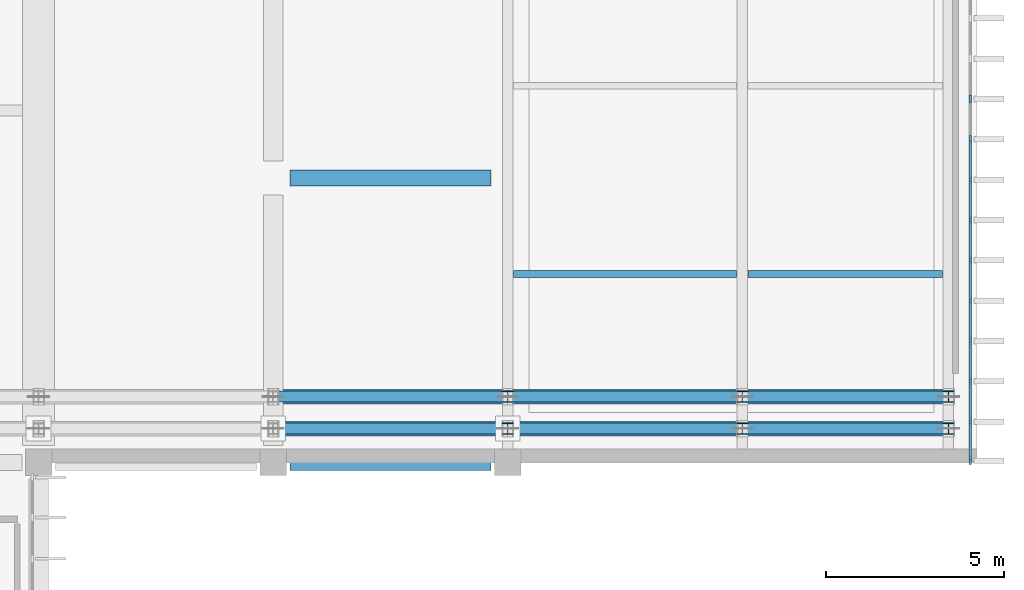
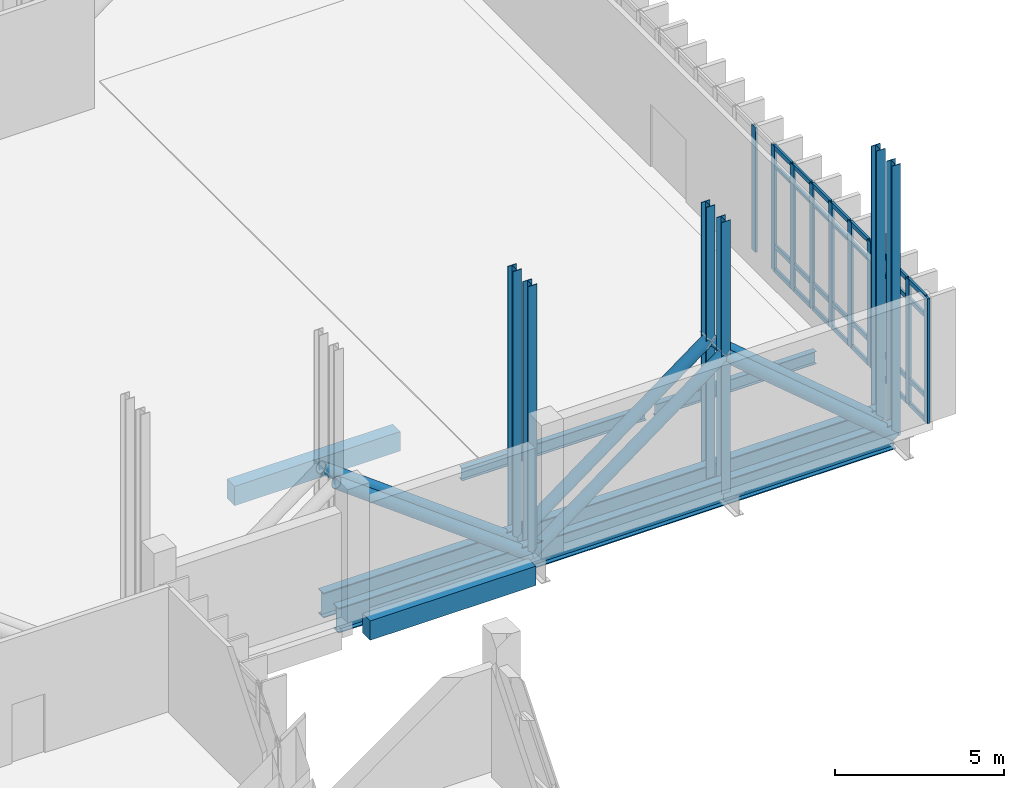
# One storey, part 32 of 73: 60 members, 4 beams, 1 element without a shape of its own.
"""IFC4 building model written with IfcOpenShell, lengths in metres."""

from ifc_helpers import new_model, si_unit, direction, frame, origin, origin_2d, place, context, subcontext, project, spatial, rectangle, hollow_circle, i_section, extrude, material, layer, layer_set, material_profile, profile_set, type_object, element, aggregate, save


model = new_model("IFC4")

# Units and contexts
model_context = context("Model", 3, precision=1e-05, world=origin(), true_north=direction((0.0, 1.0)))
body_context = subcontext(model_context, "Body", "Model", "MODEL_VIEW")
ifc_project = project(units=[si_unit("LENGTHUNIT", "METRE"), si_unit("AREAUNIT", "SQUARE_METRE"), si_unit("VOLUMEUNIT", "CUBIC_METRE"), si_unit("PLANEANGLEUNIT", "RADIAN"), si_unit("MASSUNIT", "GRAM", prefix="KILO")], contexts=[model_context])

# Site, building, storey
site_placement = place(None, origin())
site = spatial("IfcSite", under=ifc_project, at=site_placement, CompositionType="ELEMENT")
building_placement = place(site_placement, origin())
building = spatial("IfcBuilding", under=site, at=building_placement, Name="Kelarvand Opera House", CompositionType="ELEMENT")
storey_placement = place(building_placement, frame((0.0, 0.0, 10.199951171875)))
storey = spatial("IfcBuildingStorey", under=building, at=storey_placement, Name="L02", CompositionType="ELEMENT", Elevation=10.199951171875)

# Curtain wall, members
ifc_material_1 = material(Name="Thermally broken aluminium and low-E glazing", Category="aluminium")
ifc_layer = layer(ifc_material_1, 0.219970703125, Name="Thermally broken aluminium and low-E glazing", Category="aluminium")
ifc_layer_set = layer_set([ifc_layer], Name="Thermally broken aluminium and low-E glazing")
curtain_wall_type = type_object("IfcCurtainWallType", Name="Unitised Low-E Curtain Wall 15886x4500 Mod 1150 CWF-06", PredefinedType="USERDEFINED", material=ifc_layer_set)
curtain_wall_placement = place(storey_placement, origin())
curtain_wall = element("IfcCurtainWall", 1, at=curtain_wall_placement, inside=storey, type_object=curtain_wall_type, Name="V1 L02 Curtain Wall CWF-06 (18)", ObjectType="UNITISED CURTAIN WALL", PredefinedType="USERDEFINED")
ifc_material_2 = material(Name="Thermally broken anodised aluminium", Category="aluminium")
ifc_material_profile_1 = material_profile(ifc_material_2, rectangle(XDim=0.074951171875, YDim=0.219970703125, at=origin_2d()), Name="ALU MULLION 75x220", Category="aluminium")
ifc_profile_set_1 = profile_set([ifc_material_profile_1], Name="Thermally broken anodised aluminium")
member_type_1 = type_object("IfcMemberType", Name="Curtain Wall Mullion 75x220 Heavy Plaza", PredefinedType="MULLION", material=ifc_profile_set_1)
member_1_placement = place(storey_placement, frame((154.820068359375, 56.824951171875, 0.0), z_axis=(0.0, 0.0, 1.0), x_axis=(1.0, 0.0, 0.0)))
member_1 = element("IfcMember", 2, at=member_1_placement, type_object=member_type_1, Name="CWF-06 mullion 6", PredefinedType="MULLION", context=body_context, shape_type="SweptSolid", body=[
    extrude(rectangle(XDim=0.074951171875, YDim=0.219970703125, at=origin_2d()), origin(), (0.0, 0.0, 1.0), 4.5),
])
member_2_placement = place(storey_placement, frame((154.820068359375, 55.68994140625, 0.0), z_axis=(0.0, 0.0, 1.0), x_axis=(1.0, 0.0, 0.0)))
member_2 = element("IfcMember", 3, at=member_2_placement, type_object=member_type_1, Name="CWF-06 mullion 7", PredefinedType="MULLION", context=body_context, shape_type="SweptSolid", body=[
    extrude(rectangle(XDim=0.074951171875, YDim=0.219970703125, at=origin_2d()), origin(), (0.0, 0.0, 1.0), 4.5),
])
member_3_placement = place(storey_placement, frame((154.820068359375, 54.554931640625, 0.0), z_axis=(0.0, 0.0, 1.0), x_axis=(1.0, 0.0, 0.0)))
member_3 = element("IfcMember", 4, at=member_3_placement, type_object=member_type_1, Name="CWF-06 mullion 8", PredefinedType="MULLION", context=body_context, shape_type="SweptSolid", body=[
    extrude(rectangle(XDim=0.074951171875, YDim=0.219970703125, at=origin_2d()), origin(), (0.0, 0.0, 1.0), 4.5),
])
member_4_placement = place(storey_placement, frame((154.820068359375, 53.419921875, 0.0), z_axis=(0.0, 0.0, 1.0), x_axis=(1.0, 0.0, 0.0)))
member_4 = element("IfcMember", 5, at=member_4_placement, type_object=member_type_1, Name="CWF-06 mullion 9", PredefinedType="MULLION", context=body_context, shape_type="SweptSolid", body=[
    extrude(rectangle(XDim=0.074951171875, YDim=0.219970703125, at=origin_2d()), origin(), (0.0, 0.0, 1.0), 4.5),
])
member_5_placement = place(storey_placement, frame((154.820068359375, 52.284912109375, 0.0), z_axis=(0.0, 0.0, 1.0), x_axis=(1.0, 0.0, 0.0)))
member_5 = element("IfcMember", 6, at=member_5_placement, type_object=member_type_1, Name="CWF-06 mullion 10", PredefinedType="MULLION", context=body_context, shape_type="SweptSolid", body=[
    extrude(rectangle(XDim=0.074951171875, YDim=0.219970703125, at=origin_2d()), origin(), (0.0, 0.0, 1.0), 4.5),
])
member_6_placement = place(storey_placement, frame((154.820068359375, 51.14990234375, 0.0), z_axis=(0.0, 0.0, 1.0), x_axis=(1.0, 0.0, 0.0)))
member_6 = element("IfcMember", 7, at=member_6_placement, type_object=member_type_1, Name="CWF-06 mullion 11", PredefinedType="MULLION", context=body_context, shape_type="SweptSolid", body=[
    extrude(rectangle(XDim=0.074951171875, YDim=0.219970703125, at=origin_2d()), origin(), (0.0, 0.0, 1.0), 4.5),
])
member_7_placement = place(storey_placement, frame((154.820068359375, 50.014892578125, 0.0), z_axis=(0.0, 0.0, 1.0), x_axis=(1.0, 0.0, 0.0)))
member_7 = element("IfcMember", 8, at=member_7_placement, type_object=member_type_1, Name="CWF-06 mullion 12", PredefinedType="MULLION", context=body_context, shape_type="SweptSolid", body=[
    extrude(rectangle(XDim=0.074951171875, YDim=0.219970703125, at=origin_2d()), origin(), (0.0, 0.0, 1.0), 4.5),
])
member_8_placement = place(storey_placement, frame((154.820068359375, 48.8798828125, 0.0), z_axis=(0.0, 0.0, 1.0), x_axis=(1.0, 0.0, 0.0)))
member_8 = element("IfcMember", 9, at=member_8_placement, type_object=member_type_1, Name="CWF-06 mullion 13", PredefinedType="MULLION", context=body_context, shape_type="SweptSolid", body=[
    extrude(rectangle(XDim=0.074951171875, YDim=0.219970703125, at=origin_2d()), origin(), (0.0, 0.0, 1.0), 4.5),
])
member_9_placement = place(storey_placement, frame((154.820068359375, 47.7451171875, 0.0), z_axis=(0.0, 0.0, 1.0), x_axis=(1.0, 0.0, 0.0)))
member_9 = element("IfcMember", 10, at=member_9_placement, type_object=member_type_1, Name="CWF-06 mullion 14", PredefinedType="MULLION", context=body_context, shape_type="SweptSolid", body=[
    extrude(rectangle(XDim=0.074951171875, YDim=0.219970703125, at=origin_2d()), origin(), (0.0, 0.0, 1.0), 4.5),
])
member_10_placement = place(storey_placement, frame((154.820068359375, 46.6474609375, 0.0), z_axis=(0.0, 0.0, 1.0), x_axis=(1.0, 0.0, 0.0)))
member_10 = element("IfcMember", 11, at=member_10_placement, type_object=member_type_1, Name="CWF-06 mullion 15", PredefinedType="MULLION", context=body_context, shape_type="SweptSolid", body=[
    extrude(rectangle(XDim=0.074951171875, YDim=0.219970703125, at=origin_2d()), origin(), (0.0, 0.0, 1.0), 4.5),
])
ifc_material_profile_2 = material_profile(ifc_material_2, rectangle(XDim=0.074951171875, YDim=0.159912109375, at=origin_2d()), Name="ALU TRANSOM 75x160", Category="aluminium")
ifc_profile_set_2 = profile_set([ifc_material_profile_2], Name="Thermally broken anodised aluminium")
member_type_2 = type_object("IfcMemberType", Name="Curtain Wall Transom 75x160 Heavy Plaza", PredefinedType="USERDEFINED", material=ifc_profile_set_2)
member_11_placement = place(storey_placement, frame((154.820068359375, 55.652587890625, 0.03759765625), z_axis=(0.0, -1.0, 0.0), x_axis=(1.0, 0.0, 0.0)))
member_11 = element("IfcMember", 12, at=member_11_placement, type_object=member_type_2, Name="CWF-06 transom 7.1", ObjectType="TRANSOM", PredefinedType="USERDEFINED", context=body_context, shape_type="SweptSolid", body=[
    extrude(rectangle(XDim=0.074951171875, YDim=0.159912109375, at=origin_2d()), origin(), (0.0, 0.0, 1.0), 1.06005859375),
])
member_12_placement = place(storey_placement, frame((154.820068359375, 55.652587890625, 0.900146484375), z_axis=(0.0, -1.0, 0.0), x_axis=(1.0, 0.0, 0.0)))
member_12 = element("IfcMember", 13, at=member_12_placement, type_object=member_type_2, Name="CWF-06 transom 7.2", ObjectType="TRANSOM", PredefinedType="USERDEFINED", context=body_context, shape_type="SweptSolid", body=[
    extrude(rectangle(XDim=0.074951171875, YDim=0.159912109375, at=origin_2d()), origin(), (0.0, 0.0, 1.0), 1.06005859375),
])
member_13_placement = place(storey_placement, frame((154.820068359375, 55.652587890625, 3.800048828125), z_axis=(0.0, -1.0, 0.0), x_axis=(1.0, 0.0, 0.0)))
member_13 = element("IfcMember", 14, at=member_13_placement, type_object=member_type_2, Name="CWF-06 transom 7.3", ObjectType="TRANSOM", PredefinedType="USERDEFINED", context=body_context, shape_type="SweptSolid", body=[
    extrude(rectangle(XDim=0.074951171875, YDim=0.159912109375, at=origin_2d()), origin(), (0.0, 0.0, 1.0), 1.06005859375),
])
member_14_placement = place(storey_placement, frame((154.820068359375, 55.652587890625, 4.462646484375), z_axis=(0.0, -1.0, 0.0), x_axis=(1.0, 0.0, 0.0)))
member_14 = element("IfcMember", 15, at=member_14_placement, type_object=member_type_2, Name="CWF-06 transom 7.4", ObjectType="TRANSOM", PredefinedType="USERDEFINED", context=body_context, shape_type="SweptSolid", body=[
    extrude(rectangle(XDim=0.074951171875, YDim=0.159912109375, at=origin_2d()), origin(), (0.0, 0.0, 1.0), 1.06005859375),
])
member_15_placement = place(storey_placement, frame((154.820068359375, 54.517578125, 0.03759765625), z_axis=(0.0, -1.0, 0.0), x_axis=(1.0, 0.0, 0.0)))
member_15 = element("IfcMember", 16, at=member_15_placement, type_object=member_type_2, Name="CWF-06 transom 8.1", ObjectType="TRANSOM", PredefinedType="USERDEFINED", context=body_context, shape_type="SweptSolid", body=[
    extrude(rectangle(XDim=0.074951171875, YDim=0.159912109375, at=origin_2d()), origin(), (0.0, 0.0, 1.0), 1.06005859375),
])
member_16_placement = place(storey_placement, frame((154.820068359375, 54.517578125, 0.900146484375), z_axis=(0.0, -1.0, 0.0), x_axis=(1.0, 0.0, 0.0)))
member_16 = element("IfcMember", 17, at=member_16_placement, type_object=member_type_2, Name="CWF-06 transom 8.2", ObjectType="TRANSOM", PredefinedType="USERDEFINED", context=body_context, shape_type="SweptSolid", body=[
    extrude(rectangle(XDim=0.074951171875, YDim=0.159912109375, at=origin_2d()), origin(), (0.0, 0.0, 1.0), 1.06005859375),
])
member_17_placement = place(storey_placement, frame((154.820068359375, 54.517578125, 3.800048828125), z_axis=(0.0, -1.0, 0.0), x_axis=(1.0, 0.0, 0.0)))
member_17 = element("IfcMember", 18, at=member_17_placement, type_object=member_type_2, Name="CWF-06 transom 8.3", ObjectType="TRANSOM", PredefinedType="USERDEFINED", context=body_context, shape_type="SweptSolid", body=[
    extrude(rectangle(XDim=0.074951171875, YDim=0.159912109375, at=origin_2d()), origin(), (0.0, 0.0, 1.0), 1.06005859375),
])
member_18_placement = place(storey_placement, frame((154.820068359375, 54.517578125, 4.462646484375), z_axis=(0.0, -1.0, 0.0), x_axis=(1.0, 0.0, 0.0)))
member_18 = element("IfcMember", 19, at=member_18_placement, type_object=member_type_2, Name="CWF-06 transom 8.4", ObjectType="TRANSOM", PredefinedType="USERDEFINED", context=body_context, shape_type="SweptSolid", body=[
    extrude(rectangle(XDim=0.074951171875, YDim=0.159912109375, at=origin_2d()), origin(), (0.0, 0.0, 1.0), 1.06005859375),
])
member_19_placement = place(storey_placement, frame((154.820068359375, 53.382568359375, 0.03759765625), z_axis=(0.0, -1.0, 0.0), x_axis=(1.0, 0.0, 0.0)))
member_19 = element("IfcMember", 20, at=member_19_placement, type_object=member_type_2, Name="CWF-06 transom 9.1", ObjectType="TRANSOM", PredefinedType="USERDEFINED", context=body_context, shape_type="SweptSolid", body=[
    extrude(rectangle(XDim=0.074951171875, YDim=0.159912109375, at=origin_2d()), origin(), (0.0, 0.0, 1.0), 1.06005859375),
])
member_20_placement = place(storey_placement, frame((154.820068359375, 53.382568359375, 0.900146484375), z_axis=(0.0, -1.0, 0.0), x_axis=(1.0, 0.0, 0.0)))
member_20 = element("IfcMember", 21, at=member_20_placement, type_object=member_type_2, Name="CWF-06 transom 9.2", ObjectType="TRANSOM", PredefinedType="USERDEFINED", context=body_context, shape_type="SweptSolid", body=[
    extrude(rectangle(XDim=0.074951171875, YDim=0.159912109375, at=origin_2d()), origin(), (0.0, 0.0, 1.0), 1.06005859375),
])
member_21_placement = place(storey_placement, frame((154.820068359375, 53.382568359375, 3.800048828125), z_axis=(0.0, -1.0, 0.0), x_axis=(1.0, 0.0, 0.0)))
member_21 = element("IfcMember", 22, at=member_21_placement, type_object=member_type_2, Name="CWF-06 transom 9.3", ObjectType="TRANSOM", PredefinedType="USERDEFINED", context=body_context, shape_type="SweptSolid", body=[
    extrude(rectangle(XDim=0.074951171875, YDim=0.159912109375, at=origin_2d()), origin(), (0.0, 0.0, 1.0), 1.06005859375),
])
member_22_placement = place(storey_placement, frame((154.820068359375, 53.382568359375, 4.462646484375), z_axis=(0.0, -1.0, 0.0), x_axis=(1.0, 0.0, 0.0)))
member_22 = element("IfcMember", 23, at=member_22_placement, type_object=member_type_2, Name="CWF-06 transom 9.4", ObjectType="TRANSOM", PredefinedType="USERDEFINED", context=body_context, shape_type="SweptSolid", body=[
    extrude(rectangle(XDim=0.074951171875, YDim=0.159912109375, at=origin_2d()), origin(), (0.0, 0.0, 1.0), 1.06005859375),
])
member_23_placement = place(storey_placement, frame((154.820068359375, 52.24755859375, 0.03759765625), z_axis=(0.0, -1.0, 0.0), x_axis=(1.0, 0.0, 0.0)))
member_23 = element("IfcMember", 24, at=member_23_placement, type_object=member_type_2, Name="CWF-06 transom 10.1", ObjectType="TRANSOM", PredefinedType="USERDEFINED", context=body_context, shape_type="SweptSolid", body=[
    extrude(rectangle(XDim=0.074951171875, YDim=0.159912109375, at=origin_2d()), origin(), (0.0, 0.0, 1.0), 1.06005859375),
])
member_24_placement = place(storey_placement, frame((154.820068359375, 52.24755859375, 0.900146484375), z_axis=(0.0, -1.0, 0.0), x_axis=(1.0, 0.0, 0.0)))
member_24 = element("IfcMember", 25, at=member_24_placement, type_object=member_type_2, Name="CWF-06 transom 10.2", ObjectType="TRANSOM", PredefinedType="USERDEFINED", context=body_context, shape_type="SweptSolid", body=[
    extrude(rectangle(XDim=0.074951171875, YDim=0.159912109375, at=origin_2d()), origin(), (0.0, 0.0, 1.0), 1.06005859375),
])
member_25_placement = place(storey_placement, frame((154.820068359375, 52.24755859375, 3.800048828125), z_axis=(0.0, -1.0, 0.0), x_axis=(1.0, 0.0, 0.0)))
member_25 = element("IfcMember", 26, at=member_25_placement, type_object=member_type_2, Name="CWF-06 transom 10.3", ObjectType="TRANSOM", PredefinedType="USERDEFINED", context=body_context, shape_type="SweptSolid", body=[
    extrude(rectangle(XDim=0.074951171875, YDim=0.159912109375, at=origin_2d()), origin(), (0.0, 0.0, 1.0), 1.06005859375),
])
member_26_placement = place(storey_placement, frame((154.820068359375, 52.24755859375, 4.462646484375), z_axis=(0.0, -1.0, 0.0), x_axis=(1.0, 0.0, 0.0)))
member_26 = element("IfcMember", 27, at=member_26_placement, type_object=member_type_2, Name="CWF-06 transom 10.4", ObjectType="TRANSOM", PredefinedType="USERDEFINED", context=body_context, shape_type="SweptSolid", body=[
    extrude(rectangle(XDim=0.074951171875, YDim=0.159912109375, at=origin_2d()), origin(), (0.0, 0.0, 1.0), 1.06005859375),
])
member_27_placement = place(storey_placement, frame((154.820068359375, 51.112548828125, 0.03759765625), z_axis=(0.0, -1.0, 0.0), x_axis=(1.0, 0.0, 0.0)))
member_27 = element("IfcMember", 28, at=member_27_placement, type_object=member_type_2, Name="CWF-06 transom 11.1", ObjectType="TRANSOM", PredefinedType="USERDEFINED", context=body_context, shape_type="SweptSolid", body=[
    extrude(rectangle(XDim=0.074951171875, YDim=0.159912109375, at=origin_2d()), origin(), (0.0, 0.0, 1.0), 1.06005859375),
])
member_28_placement = place(storey_placement, frame((154.820068359375, 51.112548828125, 0.900146484375), z_axis=(0.0, -1.0, 0.0), x_axis=(1.0, 0.0, 0.0)))
member_28 = element("IfcMember", 29, at=member_28_placement, type_object=member_type_2, Name="CWF-06 transom 11.2", ObjectType="TRANSOM", PredefinedType="USERDEFINED", context=body_context, shape_type="SweptSolid", body=[
    extrude(rectangle(XDim=0.074951171875, YDim=0.159912109375, at=origin_2d()), origin(), (0.0, 0.0, 1.0), 1.06005859375),
])
member_29_placement = place(storey_placement, frame((154.820068359375, 51.112548828125, 3.800048828125), z_axis=(0.0, -1.0, 0.0), x_axis=(1.0, 0.0, 0.0)))
member_29 = element("IfcMember", 30, at=member_29_placement, type_object=member_type_2, Name="CWF-06 transom 11.3", ObjectType="TRANSOM", PredefinedType="USERDEFINED", context=body_context, shape_type="SweptSolid", body=[
    extrude(rectangle(XDim=0.074951171875, YDim=0.159912109375, at=origin_2d()), origin(), (0.0, 0.0, 1.0), 1.06005859375),
])
member_30_placement = place(storey_placement, frame((154.820068359375, 51.112548828125, 4.462646484375), z_axis=(0.0, -1.0, 0.0), x_axis=(1.0, 0.0, 0.0)))
member_30 = element("IfcMember", 31, at=member_30_placement, type_object=member_type_2, Name="CWF-06 transom 11.4", ObjectType="TRANSOM", PredefinedType="USERDEFINED", context=body_context, shape_type="SweptSolid", body=[
    extrude(rectangle(XDim=0.074951171875, YDim=0.159912109375, at=origin_2d()), origin(), (0.0, 0.0, 1.0), 1.06005859375),
])
member_31_placement = place(storey_placement, frame((154.820068359375, 49.9775390625, 0.03759765625), z_axis=(0.0, -1.0, 0.0), x_axis=(1.0, 0.0, 0.0)))
member_31 = element("IfcMember", 32, at=member_31_placement, type_object=member_type_2, Name="CWF-06 transom 12.1", ObjectType="TRANSOM", PredefinedType="USERDEFINED", context=body_context, shape_type="SweptSolid", body=[
    extrude(rectangle(XDim=0.074951171875, YDim=0.159912109375, at=origin_2d()), origin(), (0.0, 0.0, 1.0), 1.06005859375),
])
member_32_placement = place(storey_placement, frame((154.820068359375, 49.9775390625, 0.900146484375), z_axis=(0.0, -1.0, 0.0), x_axis=(1.0, 0.0, 0.0)))
member_32 = element("IfcMember", 33, at=member_32_placement, type_object=member_type_2, Name="CWF-06 transom 12.2", ObjectType="TRANSOM", PredefinedType="USERDEFINED", context=body_context, shape_type="SweptSolid", body=[
    extrude(rectangle(XDim=0.074951171875, YDim=0.159912109375, at=origin_2d()), origin(), (0.0, 0.0, 1.0), 1.06005859375),
])
member_33_placement = place(storey_placement, frame((154.820068359375, 49.9775390625, 3.800048828125), z_axis=(0.0, -1.0, 0.0), x_axis=(1.0, 0.0, 0.0)))
member_33 = element("IfcMember", 34, at=member_33_placement, type_object=member_type_2, Name="CWF-06 transom 12.3", ObjectType="TRANSOM", PredefinedType="USERDEFINED", context=body_context, shape_type="SweptSolid", body=[
    extrude(rectangle(XDim=0.074951171875, YDim=0.159912109375, at=origin_2d()), origin(), (0.0, 0.0, 1.0), 1.06005859375),
])
member_34_placement = place(storey_placement, frame((154.820068359375, 49.9775390625, 4.462646484375), z_axis=(0.0, -1.0, 0.0), x_axis=(1.0, 0.0, 0.0)))
member_34 = element("IfcMember", 35, at=member_34_placement, type_object=member_type_2, Name="CWF-06 transom 12.4", ObjectType="TRANSOM", PredefinedType="USERDEFINED", context=body_context, shape_type="SweptSolid", body=[
    extrude(rectangle(XDim=0.074951171875, YDim=0.159912109375, at=origin_2d()), origin(), (0.0, 0.0, 1.0), 1.06005859375),
])
member_35_placement = place(storey_placement, frame((154.820068359375, 48.842529296875, 0.03759765625), z_axis=(0.0, -1.0, 0.0), x_axis=(1.0, 0.0, 0.0)))
member_35 = element("IfcMember", 36, at=member_35_placement, type_object=member_type_2, Name="CWF-06 transom 13.1", ObjectType="TRANSOM", PredefinedType="USERDEFINED", context=body_context, shape_type="SweptSolid", body=[
    extrude(rectangle(XDim=0.074951171875, YDim=0.159912109375, at=origin_2d()), origin(), (0.0, 0.0, 1.0), 1.06005859375),
])
member_36_placement = place(storey_placement, frame((154.820068359375, 48.842529296875, 0.900146484375), z_axis=(0.0, -1.0, 0.0), x_axis=(1.0, 0.0, 0.0)))
member_36 = element("IfcMember", 37, at=member_36_placement, type_object=member_type_2, Name="CWF-06 transom 13.2", ObjectType="TRANSOM", PredefinedType="USERDEFINED", context=body_context, shape_type="SweptSolid", body=[
    extrude(rectangle(XDim=0.074951171875, YDim=0.159912109375, at=origin_2d()), origin(), (0.0, 0.0, 1.0), 1.06005859375),
])
member_37_placement = place(storey_placement, frame((154.820068359375, 48.842529296875, 3.800048828125), z_axis=(0.0, -1.0, 0.0), x_axis=(1.0, 0.0, 0.0)))
member_37 = element("IfcMember", 38, at=member_37_placement, type_object=member_type_2, Name="CWF-06 transom 13.3", ObjectType="TRANSOM", PredefinedType="USERDEFINED", context=body_context, shape_type="SweptSolid", body=[
    extrude(rectangle(XDim=0.074951171875, YDim=0.159912109375, at=origin_2d()), origin(), (0.0, 0.0, 1.0), 1.06005859375),
])
member_38_placement = place(storey_placement, frame((154.820068359375, 48.842529296875, 4.462646484375), z_axis=(0.0, -1.0, 0.0), x_axis=(1.0, 0.0, 0.0)))
member_38 = element("IfcMember", 39, at=member_38_placement, type_object=member_type_2, Name="CWF-06 transom 13.4", ObjectType="TRANSOM", PredefinedType="USERDEFINED", context=body_context, shape_type="SweptSolid", body=[
    extrude(rectangle(XDim=0.074951171875, YDim=0.159912109375, at=origin_2d()), origin(), (0.0, 0.0, 1.0), 1.06005859375),
])
member_39_placement = place(storey_placement, frame((154.820068359375, 47.70751953125, 0.03759765625), z_axis=(0.0, -1.0, 0.0), x_axis=(1.0, 0.0, 0.0)))
member_39 = element("IfcMember", 40, at=member_39_placement, type_object=member_type_2, Name="CWF-06 transom 14.1", ObjectType="TRANSOM", PredefinedType="USERDEFINED", context=body_context, shape_type="SweptSolid", body=[
    extrude(rectangle(XDim=0.074951171875, YDim=0.159912109375, at=origin_2d()), origin(), (0.0, 0.0, 1.0), 1.0224609375),
])
member_40_placement = place(storey_placement, frame((154.820068359375, 47.70751953125, 0.900146484375), z_axis=(0.0, -1.0, 0.0), x_axis=(1.0, 0.0, 0.0)))
member_40 = element("IfcMember", 41, at=member_40_placement, type_object=member_type_2, Name="CWF-06 transom 14.2", ObjectType="TRANSOM", PredefinedType="USERDEFINED", context=body_context, shape_type="SweptSolid", body=[
    extrude(rectangle(XDim=0.074951171875, YDim=0.159912109375, at=origin_2d()), origin(), (0.0, 0.0, 1.0), 1.0224609375),
])
member_41_placement = place(storey_placement, frame((154.820068359375, 47.70751953125, 3.800048828125), z_axis=(0.0, -1.0, 0.0), x_axis=(1.0, 0.0, 0.0)))
member_41 = element("IfcMember", 42, at=member_41_placement, type_object=member_type_2, Name="CWF-06 transom 14.3", ObjectType="TRANSOM", PredefinedType="USERDEFINED", context=body_context, shape_type="SweptSolid", body=[
    extrude(rectangle(XDim=0.074951171875, YDim=0.159912109375, at=origin_2d()), origin(), (0.0, 0.0, 1.0), 1.0224609375),
])
member_42_placement = place(storey_placement, frame((154.820068359375, 47.70751953125, 4.462646484375), z_axis=(0.0, -1.0, 0.0), x_axis=(1.0, 0.0, 0.0)))
member_42 = element("IfcMember", 43, at=member_42_placement, type_object=member_type_2, Name="CWF-06 transom 14.4", ObjectType="TRANSOM", PredefinedType="USERDEFINED", context=body_context, shape_type="SweptSolid", body=[
    extrude(rectangle(XDim=0.074951171875, YDim=0.159912109375, at=origin_2d()), origin(), (0.0, 0.0, 1.0), 1.0224609375),
])
aggregate(curtain_wall, [member_1, member_2, member_3, member_4, member_5, member_6, member_7, member_8, member_9, member_10, member_11, member_12, member_13, member_14, member_15, member_16, member_17, member_18, member_19, member_20, member_21, member_22, member_23, member_24, member_25, member_26, member_27, member_28, member_29, member_30, member_31, member_32, member_33, member_34, member_35, member_36, member_37, member_38, member_39, member_40, member_41, member_42])

# Beams
ifc_material_3 = material(Name="Concrete C40/50", Category="concrete")
ifc_material_profile_3 = material_profile(ifc_material_3, rectangle(XDim=0.449951171875, YDim=0.699951171875, at=origin_2d()), Name="RC 450x700", Category="concrete")
ifc_profile_set_3 = profile_set([ifc_material_profile_3], Name="Concrete C40/50")
beam_type_1 = type_object("IfcBeamType", Name="Structural Beam RC 450x700 BM-RC450x700", PredefinedType="BEAM", material=ifc_profile_set_3)
for number, where, z_axis, x_axis, name in (
    (44, (135.675048828125, 46.60009765625, -0.669921875), (1.0, 0.0, 0.0), (0.0, 1.0, 0.0), "V1 L02 Beam BM-RC450x700"),
    (45, (135.675048828125, 54.60009765625, -0.669921875), (1.0, 0.0, 0.0), (0.0, 1.0, 0.0), "V1 L02 Beam BM-RC450x700"),
):
    element("IfcBeam", number, at=place(storey_placement, frame(where, z_axis=z_axis, x_axis=x_axis)), inside=storey, type_object=beam_type_1, Name=name, PredefinedType="BEAM", context=body_context, shape_type="SweptSolid", body=[
        extrude(rectangle(XDim=0.449951171875, YDim=0.699951171875, at=origin_2d()), origin(), (0.0, 0.0, 1.0), 5.64990234375),
    ])

# Members
ifc_material_4 = material(Name="Steel S355", Category="steel")
ifc_material_profile_4 = material_profile(ifc_material_4, hollow_circle(Radius=0.203125, WallThickness=0.02001953125, at=origin_2d()), Name="CHS 406.4x20.0", Category="steel")
ifc_profile_set_4 = profile_set([ifc_material_profile_4], Name="Steel S355")
member_type_3 = type_object("IfcMemberType", Name="Structural Brace CHS 406.4x20.0 BR-CHS406", PredefinedType="BRACE", material=ifc_profile_set_4)
member_43_placement = place(storey_placement, frame((135.199951171875, 47.550048828125, 4.130126953125), z_axis=(0.802905894213, 0.0, -0.596105800205), x_axis=(0.0, 1.0, 0.0)))
element("IfcMember", 46, at=member_43_placement, inside=storey, type_object=member_type_3, Name="Cantilever Truss CT1 Lower Diagonal 4", PredefinedType="BRACE", context=body_context, shape_type="SweptSolid", body=[
    extrude(hollow_circle(Radius=0.203125, WallThickness=0.02001953125, at=origin_2d()), origin(), (0.0, 0.0, 1.0), 8.22021484375),
])
member_44_placement = place(storey_placement, frame((141.800048828125, 47.550048828125, -0.77001953125), z_axis=(0.802895340226, 0.0, 0.596120015302), x_axis=(0.0, 1.0, 0.0)))
element("IfcMember", 47, at=member_44_placement, inside=storey, type_object=member_type_3, Name="Cantilever Truss CT1 Lower Diagonal 5", PredefinedType="BRACE", context=body_context, shape_type="SweptSolid", body=[
    extrude(hollow_circle(Radius=0.203125, WallThickness=0.02001953125, at=origin_2d()), origin(), (0.0, 0.0, 1.0), 8.219970703125),
])
member_45_placement = place(storey_placement, frame((148.39990234375, 47.550048828125, 4.130126953125), z_axis=(0.763878793161, 0.0, -0.645359736395), x_axis=(0.0, 1.0, 0.0)))
element("IfcMember", 48, at=member_45_placement, inside=storey, type_object=member_type_3, Name="Cantilever Truss CT1 Lower Diagonal 6", PredefinedType="BRACE", context=body_context, shape_type="SweptSolid", body=[
    extrude(hollow_circle(Radius=0.203125, WallThickness=0.02001953125, at=origin_2d()), origin(), (0.0, 0.0, 1.0), 7.5927734375),
])
member_46_placement = place(storey_placement, frame((135.199951171875, 48.449951171875, 4.130126953125), z_axis=(0.802905894213, 0.0, -0.596105800205), x_axis=(0.0, 1.0, 0.0)))
element("IfcMember", 49, at=member_46_placement, inside=storey, type_object=member_type_3, Name="Cantilever Truss CT2 Lower Diagonal 4", PredefinedType="BRACE", context=body_context, shape_type="SweptSolid", body=[
    extrude(hollow_circle(Radius=0.203125, WallThickness=0.02001953125, at=origin_2d()), origin(), (0.0, 0.0, 1.0), 8.22021484375),
])
member_47_placement = place(storey_placement, frame((141.800048828125, 48.449951171875, -0.77001953125), z_axis=(0.802895340226, 0.0, 0.596120015302), x_axis=(0.0, 1.0, 0.0)))
element("IfcMember", 50, at=member_47_placement, inside=storey, type_object=member_type_3, Name="Cantilever Truss CT2 Lower Diagonal 5", PredefinedType="BRACE", context=body_context, shape_type="SweptSolid", body=[
    extrude(hollow_circle(Radius=0.203125, WallThickness=0.02001953125, at=origin_2d()), origin(), (0.0, 0.0, 1.0), 8.219970703125),
])
member_48_placement = place(storey_placement, frame((148.39990234375, 48.449951171875, 4.130126953125), z_axis=(0.763878793161, 0.0, -0.645359736395), x_axis=(0.0, 1.0, 0.0)))
element("IfcMember", 51, at=member_48_placement, inside=storey, type_object=member_type_3, Name="Cantilever Truss CT2 Lower Diagonal 6", PredefinedType="BRACE", context=body_context, shape_type="SweptSolid", body=[
    extrude(hollow_circle(Radius=0.203125, WallThickness=0.02001953125, at=origin_2d()), origin(), (0.0, 0.0, 1.0), 7.5927734375),
])
ifc_material_profile_5 = material_profile(ifc_material_4, i_section(OverallWidth=0.300048828125, OverallDepth=0.89990234375, WebThickness=0.0185546875, FlangeThickness=0.034912109375, at=origin_2d()), Name="HEB 900", Category="steel")
ifc_profile_set_5 = profile_set([ifc_material_profile_5], Name="Steel S355")
member_type_4 = type_object("IfcMemberType", Name="Structural Chord HEB 900 CH-HEB900", PredefinedType="CHORD", material=ifc_profile_set_5)
member_49_placement = place(storey_placement, frame((135.199951171875, 47.550048828125, -0.77001953125), z_axis=(1.0, 0.0, 0.0), x_axis=(0.0, 1.0, 0.0)))
element("IfcMember", 52, at=member_49_placement, inside=storey, type_object=member_type_4, Name="Cantilever Truss CT1 Bottom Chord 4", PredefinedType="CHORD", context=body_context, shape_type="SweptSolid", body=[
    extrude(i_section(OverallWidth=0.300048828125, OverallDepth=0.89990234375, WebThickness=0.0185546875, FlangeThickness=0.034912109375, at=origin_2d()), origin(), (0.0, 0.0, 1.0), 6.60009765625),
])
member_50_placement = place(storey_placement, frame((141.800048828125, 47.550048828125, -0.77001953125), z_axis=(1.0, 0.0, 0.0), x_axis=(0.0, 1.0, 0.0)))
element("IfcMember", 53, at=member_50_placement, inside=storey, type_object=member_type_4, Name="Cantilever Truss CT1 Bottom Chord 5", PredefinedType="CHORD", context=body_context, shape_type="SweptSolid", body=[
    extrude(i_section(OverallWidth=0.300048828125, OverallDepth=0.89990234375, WebThickness=0.0185546875, FlangeThickness=0.034912109375, at=origin_2d()), origin(), (0.0, 0.0, 1.0), 6.599853515625),
])
member_51_placement = place(storey_placement, frame((148.39990234375, 47.550048828125, -0.77001953125), z_axis=(1.0, 0.0, 0.0), x_axis=(0.0, 1.0, 0.0)))
element("IfcMember", 54, at=member_51_placement, inside=storey, type_object=member_type_4, Name="Cantilever Truss CT1 Bottom Chord 6", PredefinedType="CHORD", context=body_context, shape_type="SweptSolid", body=[
    extrude(i_section(OverallWidth=0.300048828125, OverallDepth=0.89990234375, WebThickness=0.0185546875, FlangeThickness=0.034912109375, at=origin_2d()), origin(), (0.0, 0.0, 1.0), 5.800048828125),
])
member_52_placement = place(storey_placement, frame((135.199951171875, 48.449951171875, -0.77001953125), z_axis=(1.0, 0.0, 0.0), x_axis=(0.0, 1.0, 0.0)))
element("IfcMember", 55, at=member_52_placement, inside=storey, type_object=member_type_4, Name="Cantilever Truss CT2 Bottom Chord 4", PredefinedType="CHORD", context=body_context, shape_type="SweptSolid", body=[
    extrude(i_section(OverallWidth=0.300048828125, OverallDepth=0.89990234375, WebThickness=0.0185546875, FlangeThickness=0.034912109375, at=origin_2d()), origin(), (0.0, 0.0, 1.0), 6.60009765625),
])
member_53_placement = place(storey_placement, frame((141.800048828125, 48.449951171875, -0.77001953125), z_axis=(1.0, 0.0, 0.0), x_axis=(0.0, 1.0, 0.0)))
element("IfcMember", 56, at=member_53_placement, inside=storey, type_object=member_type_4, Name="Cantilever Truss CT2 Bottom Chord 5", PredefinedType="CHORD", context=body_context, shape_type="SweptSolid", body=[
    extrude(i_section(OverallWidth=0.300048828125, OverallDepth=0.89990234375, WebThickness=0.0185546875, FlangeThickness=0.034912109375, at=origin_2d()), origin(), (0.0, 0.0, 1.0), 6.599853515625),
])
member_54_placement = place(storey_placement, frame((148.39990234375, 48.449951171875, -0.77001953125), z_axis=(1.0, 0.0, 0.0), x_axis=(0.0, 1.0, 0.0)))
element("IfcMember", 57, at=member_54_placement, inside=storey, type_object=member_type_4, Name="Cantilever Truss CT2 Bottom Chord 6", PredefinedType="CHORD", context=body_context, shape_type="SweptSolid", body=[
    extrude(i_section(OverallWidth=0.300048828125, OverallDepth=0.89990234375, WebThickness=0.0185546875, FlangeThickness=0.034912109375, at=origin_2d()), origin(), (0.0, 0.0, 1.0), 5.800048828125),
])

# Beams
ifc_material_profile_6 = material_profile(ifc_material_4, i_section(OverallWidth=0.18994140625, OverallDepth=0.449951171875, WebThickness=0.009521484375, FlangeThickness=0.0146484375, at=origin_2d()), Name="IPE 450", Category="steel")
ifc_profile_set_6 = profile_set([ifc_material_profile_6], Name="Steel S355")
beam_type_2 = type_object("IfcBeamType", Name="Structural Joist IPE 450 JS-IPE450", PredefinedType="JOIST", material=ifc_profile_set_6)
beam_1_placement = place(storey_placement, frame((141.9599609375, 51.89990234375, -0.544921875), z_axis=(1.0, 0.0, 0.0), x_axis=(0.0, 1.0, 0.0)))
element("IfcBeam", 58, at=beam_1_placement, inside=storey, type_object=beam_type_2, Name="V1 L02 Beam JS-IPE450", PredefinedType="JOIST", context=body_context, shape_type="SweptSolid", body=[
    extrude(i_section(OverallWidth=0.18994140625, OverallDepth=0.449951171875, WebThickness=0.009521484375, FlangeThickness=0.0146484375, at=origin_2d()), origin(), (0.0, 0.0, 1.0), 6.280029296875),
])
beam_2_placement = place(storey_placement, frame((148.56005859375, 51.89990234375, -0.544921875), z_axis=(1.0, 0.0, 0.0), x_axis=(0.0, 1.0, 0.0)))
element("IfcBeam", 59, at=beam_2_placement, inside=storey, type_object=beam_type_2, Name="V1 L02 Beam JS-IPE450", PredefinedType="JOIST", context=body_context, shape_type="SweptSolid", body=[
    extrude(i_section(OverallWidth=0.18994140625, OverallDepth=0.449951171875, WebThickness=0.009521484375, FlangeThickness=0.0146484375, at=origin_2d()), origin(), (0.0, 0.0, 1.0), 5.47998046875),
])

# Members
ifc_material_profile_7 = material_profile(ifc_material_4, i_section(OverallWidth=0.300048828125, OverallDepth=0.320068359375, WebThickness=0.011474609375, FlangeThickness=0.0205078125, at=origin_2d()), Name="HEB 320", Category="steel")
ifc_profile_set_7 = profile_set([ifc_material_profile_7], Name="Steel S355")
member_type_5 = type_object("IfcMemberType", Name="Structural Post HEB 320 PS-HEB320", PredefinedType="POST", material=ifc_profile_set_7)
for number, where, z_axis, x_axis, name in (
    (60, (141.800048828125, 47.550048828125, -0.77001953125), (0.0, 0.0, 1.0), (1.0, 0.0, 0.0), "Cantilever Truss CT1 Vertical Post 5"),
    (61, (148.39990234375, 47.550048828125, -0.77001953125), (0.0, 0.0, 1.0), (1.0, 0.0, 0.0), "Cantilever Truss CT1 Vertical Post 6"),
    (62, (154.199951171875, 47.550048828125, -0.77001953125), (0.0, 0.0, 1.0), (1.0, 0.0, 0.0), "Cantilever Truss CT1 Vertical Post 7"),
    (63, (141.800048828125, 48.449951171875, -0.77001953125), (0.0, 0.0, 1.0), (1.0, 0.0, 0.0), "Cantilever Truss CT2 Vertical Post 5"),
    (64, (148.39990234375, 48.449951171875, -0.77001953125), (0.0, 0.0, 1.0), (1.0, 0.0, 0.0), "Cantilever Truss CT2 Vertical Post 6"),
    (65, (154.199951171875, 48.449951171875, -0.77001953125), (0.0, 0.0, 1.0), (1.0, 0.0, 0.0), "Cantilever Truss CT2 Vertical Post 7"),
):
    element("IfcMember", number, at=place(storey_placement, frame(where, z_axis=z_axis, x_axis=x_axis)), inside=storey, type_object=member_type_5, Name=name, PredefinedType="POST", context=body_context, shape_type="SweptSolid", body=[
        extrude(i_section(OverallWidth=0.300048828125, OverallDepth=0.320068359375, WebThickness=0.011474609375, FlangeThickness=0.0205078125, at=origin_2d()), origin(), (0.0, 0.0, 1.0), 9.7900390625),
    ])

save(model, "model.ifc")
